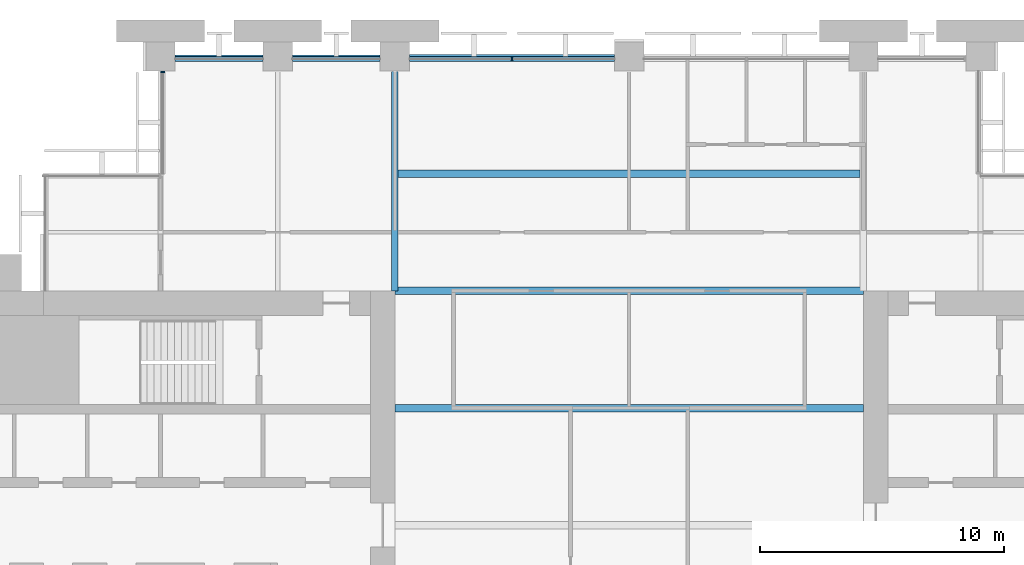
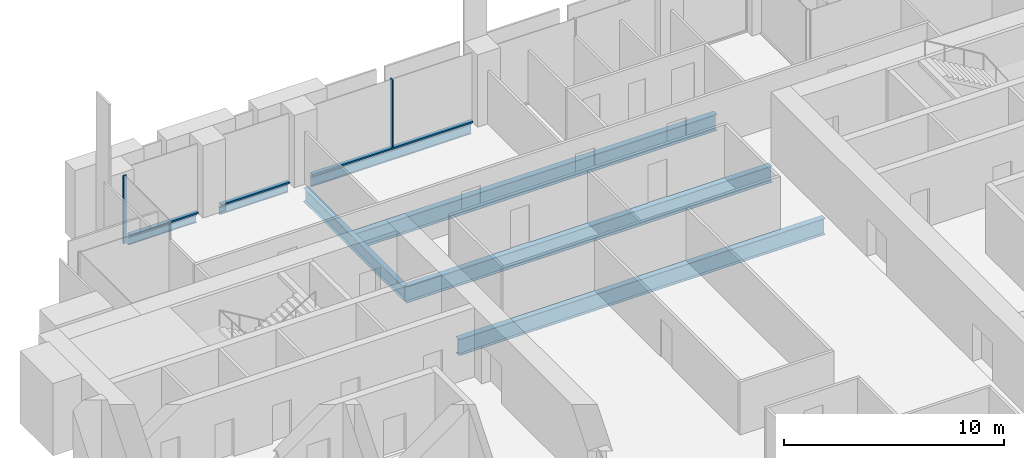
# One storey, part 6 of 14: 7 beams, 5 members, 2 elements without a shape of their own.
"""IFC4 building model written with IfcOpenShell, lengths in metres."""

from ifc_helpers import new_model, si_unit, direction, frame, origin, origin_2d, place, context, subcontext, project, spatial, rectangle, i_section, extrude, material, material_profile, profile_set, type_object, element, aggregate, save


model = new_model("IFC4")

# Units and contexts
model_context = context("Model", 3, precision=1e-05, world=origin(), true_north=direction((0.0, 1.0)))
body_context = subcontext(model_context, "Body", "Model", "MODEL_VIEW")
ifc_project = project(units=[si_unit("LENGTHUNIT", "METRE"), si_unit("AREAUNIT", "SQUARE_METRE"), si_unit("VOLUMEUNIT", "CUBIC_METRE"), si_unit("PLANEANGLEUNIT", "RADIAN"), si_unit("MASSUNIT", "GRAM", prefix="KILO")], contexts=[model_context])

# Site, building, storey
site_placement = place(None, origin())
site = spatial("IfcSite", under=ifc_project, at=site_placement, CompositionType="ELEMENT")
building_placement = place(site_placement, origin())
building = spatial("IfcBuilding", under=site, at=building_placement, Name="Baori Bourse Tower", CompositionType="ELEMENT")
storey_placement = place(building_placement, frame((0.0, 0.0, 108.10009765625)))
storey = spatial("IfcBuildingStorey", under=building, at=storey_placement, Name="L22", CompositionType="ELEMENT", Elevation=108.10009765625)

# Curtain wall, members
ifc_material_1 = material(Name="Pale anodised aluminium", Category="aluminium")
curtain_wall_type_1 = type_object("IfcCurtainWallType", Name="CW1 Curtain wall", PredefinedType="NOTDEFINED", material=ifc_material_1)
curtain_wall_1_placement = place(storey_placement, origin())
curtain_wall_1 = element("IfcCurtainWall", 1, at=curtain_wall_1_placement, inside=storey, type_object=curtain_wall_type_1, Name="Curtain wall CW1 L22 4", PredefinedType="NOTDEFINED")
ifc_material_2 = material(Name="Pale anodised aluminium", Category="aluminium")
ifc_material_profile_1 = material_profile(ifc_material_2, rectangle(XDim=0.199951171875, YDim=0.06005859375, at=origin_2d()), Name="Mullion 60x200")
ifc_profile_set_1 = profile_set([ifc_material_profile_1], Name="Pale anodised aluminium")
member_type_1 = type_object("IfcMemberType", Name="CW1 Curtain wall mullion", PredefinedType="MULLION", material=ifc_profile_set_1)
member_1_placement = place(storey_placement, frame((24.0, 47.89990234375, 0.079833984375), z_axis=(0.0, 0.0, 1.0), x_axis=(0.0, -1.0, 0.0)))
member_1 = element("IfcMember", 2, at=member_1_placement, type_object=member_type_1, Name="Curtain wall CW1 mullion", PredefinedType="MULLION", context=body_context, shape_type="SweptSolid", body=[
    extrude(rectangle(XDim=0.199951171875, YDim=0.06005859375, at=origin_2d()), origin(), (0.0, 0.0, 1.0), 3.760009765625),
])
ifc_material_3 = material(Name="Pale anodised aluminium", Category="aluminium")
ifc_material_profile_2 = material_profile(ifc_material_3, rectangle(XDim=0.199951171875, YDim=0.080078125, at=origin_2d()), Name="Transom 80x200")
ifc_profile_set_2 = profile_set([ifc_material_profile_2], Name="Pale anodised aluminium")
member_type_2 = type_object("IfcMemberType", Name="CW1 Curtain wall transom", PredefinedType="USERDEFINED", material=ifc_profile_set_2)
member_2_placement = place(storey_placement, frame((28.199951171875, 47.89990234375, 0.039794921875), z_axis=(-1.0, 0.0, 0.0), x_axis=(0.0, -1.0, 0.0)))
member_2 = element("IfcMember", 3, at=member_2_placement, type_object=member_type_2, Name="Curtain wall CW1 sill rail", ObjectType="TRANSOM", PredefinedType="USERDEFINED", context=body_context, shape_type="SweptSolid", body=[
    extrude(rectangle(XDim=0.199951171875, YDim=0.080078125, at=origin_2d()), origin(), (0.0, 0.0, 1.0), 8.39990234375),
])
member_3_placement = place(storey_placement, frame((18.60009765625, 47.89990234375, 0.039794921875), z_axis=(-1.0, 0.0, 0.0), x_axis=(0.0, -1.0, 0.0)))
member_3 = element("IfcMember", 4, at=member_3_placement, type_object=member_type_2, Name="Curtain wall CW1 sill rail", ObjectType="TRANSOM", PredefinedType="USERDEFINED", context=body_context, shape_type="SweptSolid", body=[
    extrude(rectangle(XDim=0.199951171875, YDim=0.080078125, at=origin_2d()), origin(), (0.0, 0.0, 1.0), 3.60009765625),
])
member_4_placement = place(storey_placement, frame((13.800048828125, 47.89990234375, 0.039794921875), z_axis=(-1.0, 0.0, 0.0), x_axis=(0.0, -1.0, 0.0)))
member_4 = element("IfcMember", 5, at=member_4_placement, type_object=member_type_2, Name="Curtain wall CW1 sill rail", ObjectType="TRANSOM", PredefinedType="USERDEFINED", context=body_context, shape_type="SweptSolid", body=[
    extrude(rectangle(XDim=0.199951171875, YDim=0.080078125, at=origin_2d()), origin(), (0.0, 0.0, 1.0), 3.60009765625),
])
aggregate(curtain_wall_1, [member_2, member_1, member_3, member_4])

# Curtain wall, member
ifc_material_4 = material(Name="Pale anodised aluminium", Category="aluminium")
curtain_wall_type_2 = type_object("IfcCurtainWallType", Name="CW2 Curtain wall", PredefinedType="NOTDEFINED", material=ifc_material_4)
curtain_wall_2_placement = place(storey_placement, origin())
curtain_wall_2 = element("IfcCurtainWall", 6, at=curtain_wall_2_placement, inside=storey, type_object=curtain_wall_type_2, Name="Curtain wall CW2 L22 5", PredefinedType="NOTDEFINED")
ifc_material_5 = material(Name="Pale anodised aluminium", Category="aluminium")
ifc_material_profile_3 = material_profile(ifc_material_5, rectangle(XDim=0.179931640625, YDim=0.054931640625, at=origin_2d()), Name="Mullion 55x180")
ifc_profile_set_3 = profile_set([ifc_material_profile_3], Name="Pale anodised aluminium")
member_type_3 = type_object("IfcMemberType", Name="CW2 Curtain wall mullion", PredefinedType="MULLION", material=ifc_profile_set_3)
member_5_placement = place(storey_placement, frame((9.68994140625, 47.37255859375, 0.06982421875), z_axis=(0.0, 0.0, 1.0), x_axis=(1.0, 0.0, 0.0)))
member_5 = element("IfcMember", 7, at=member_5_placement, type_object=member_type_3, Name="Curtain wall CW2 mullion", PredefinedType="MULLION", context=body_context, shape_type="SweptSolid", body=[
    extrude(rectangle(XDim=0.179931640625, YDim=0.054931640625, at=origin_2d()), origin(), (0.0, 0.0, 1.0), 3.77001953125),
])
aggregate(curtain_wall_2, [member_5])

# Beams
ifc_material_6 = material(Name="Steel A992 Gr 50", Category="steel")
ifc_material_profile_4 = material_profile(ifc_material_6, i_section(OverallWidth=0.140380859375, OverallDepth=0.40380859375, WebThickness=0.007080078125, FlangeThickness=0.01123046875, at=origin_2d()), Name="W16x31")
ifc_profile_set_4 = profile_set([ifc_material_profile_4], Name="Steel A992 Gr 50")
beam_type_1 = type_object("IfcBeamType", Name="Edge beam W16x31", PredefinedType="BEAM", material=ifc_profile_set_4)
for number, where, z_axis, x_axis, name in (
    (8, (10.199951171875, 48.0, -0.362060546875), (1.0, 0.0, 0.0), (0.0, 1.0, 0.0), "Edge beam L22"),
    (9, (15.0, 48.0, -0.362060546875), (1.0, 0.0, 0.0), (0.0, 1.0, 0.0), "Edge beam L22"),
):
    element("IfcBeam", number, at=place(storey_placement, frame(where, z_axis=z_axis, x_axis=x_axis)), inside=storey, type_object=beam_type_1, Name=name, PredefinedType="BEAM", context=body_context, shape_type="SweptSolid", body=[
        extrude(i_section(OverallWidth=0.140380859375, OverallDepth=0.40380859375, WebThickness=0.007080078125, FlangeThickness=0.01123046875, at=origin_2d()), origin(), (0.0, 0.0, 1.0), 3.60009765625),
    ])
ifc_material_7 = material(Name="Steel A992 Gr 50", Category="steel")
ifc_material_profile_5 = material_profile(ifc_material_7, i_section(OverallWidth=0.1650390625, OverallDepth=0.52587890625, WebThickness=0.0087890625, FlangeThickness=0.011474609375, at=origin_2d()), Name="W21x44")
ifc_profile_set_5 = profile_set([ifc_material_profile_5], Name="Steel A992 Gr 50")
beam_type_2 = type_object("IfcBeamType", Name="Edge beam W21x44", PredefinedType="BEAM", material=ifc_profile_set_5)
beam_1_placement = place(storey_placement, frame((19.800048828125, 48.0, -0.423095703125), z_axis=(1.0, 0.0, 0.0), x_axis=(0.0, 1.0, 0.0)))
element("IfcBeam", 10, at=beam_1_placement, inside=storey, type_object=beam_type_2, Name="Edge beam L22", PredefinedType="BEAM", context=body_context, shape_type="SweptSolid", body=[
    extrude(i_section(OverallWidth=0.1650390625, OverallDepth=0.52587890625, WebThickness=0.0087890625, FlangeThickness=0.011474609375, at=origin_2d()), origin(), (0.0, 0.0, 1.0), 8.39990234375),
])
ifc_material_8 = material(Name="Steel A992 Gr 50", Category="steel")
ifc_material_profile_6 = material_profile(ifc_material_8, i_section(OverallWidth=0.3046875, OverallDepth=0.904296875, WebThickness=0.01513671875, FlangeThickness=0.02001953125, at=origin_2d()), Name="W36x135")
ifc_profile_set_6 = profile_set([ifc_material_profile_6], Name="Steel A992 Gr 50")
beam_type_3 = type_object("IfcBeamType", Name="Floor beam W36x135", PredefinedType="BEAM", material=ifc_profile_set_6)
for number, where, z_axis, x_axis, name in (
    (11, (19.199951171875, 33.60009765625, -0.6123046875), (1.0, 0.0, 0.0), (0.0, 1.0, 0.0), "Floor beam L22"),
    (12, (19.199951171875, 38.39990234375, -0.6123046875), (1.0, 0.0, 0.0), (0.0, 1.0, 0.0), "Floor beam L22"),
):
    element("IfcBeam", number, at=place(storey_placement, frame(where, z_axis=z_axis, x_axis=x_axis)), inside=storey, type_object=beam_type_3, Name=name, PredefinedType="BEAM", context=body_context, shape_type="SweptSolid", body=[
        extrude(i_section(OverallWidth=0.3046875, OverallDepth=0.904296875, WebThickness=0.01513671875, FlangeThickness=0.02001953125, at=origin_2d()), origin(), (0.0, 0.0, 1.0), 19.199951171875),
    ])
beam_2_placement = place(storey_placement, frame((19.33203125, 43.199951171875, -0.6123046875), z_axis=(1.0, 0.0, 0.0), x_axis=(0.0, 1.0, 0.0)))
element("IfcBeam", 13, at=beam_2_placement, inside=storey, type_object=beam_type_3, Name="Floor beam L22", PredefinedType="BEAM", context=body_context, shape_type="SweptSolid", body=[
    extrude(i_section(OverallWidth=0.3046875, OverallDepth=0.904296875, WebThickness=0.01513671875, FlangeThickness=0.02001953125, at=origin_2d()), origin(), (0.0, 0.0, 1.0), 18.935791015625),
])
ifc_material_9 = material(Name="Steel A992 Gr 50", Category="steel")
ifc_material_profile_7 = material_profile(ifc_material_9, i_section(OverallWidth=0.26416015625, OverallDepth=0.749267578125, WebThickness=0.011962890625, FlangeThickness=0.015380859375, at=origin_2d()), Name="W30x90")
ifc_profile_set_7 = profile_set([ifc_material_profile_7], Name="Steel A992 Gr 50")
beam_type_4 = type_object("IfcBeamType", Name="Girder W30x90", PredefinedType="BEAM", material=ifc_profile_set_7)
beam_3_placement = place(storey_placement, frame((19.199951171875, 38.39990234375, -0.53466796875), z_axis=(0.0, 1.0, 0.0), x_axis=(-1.0, 0.0, 0.0)))
element("IfcBeam", 14, at=beam_3_placement, inside=storey, type_object=beam_type_4, Name="Girder L22", PredefinedType="BEAM", context=body_context, shape_type="SweptSolid", body=[
    extrude(i_section(OverallWidth=0.26416015625, OverallDepth=0.749267578125, WebThickness=0.011962890625, FlangeThickness=0.015380859375, at=origin_2d()), origin(), (0.0, 0.0, 1.0), 9.0),
])

save(model, "model.ifc")
